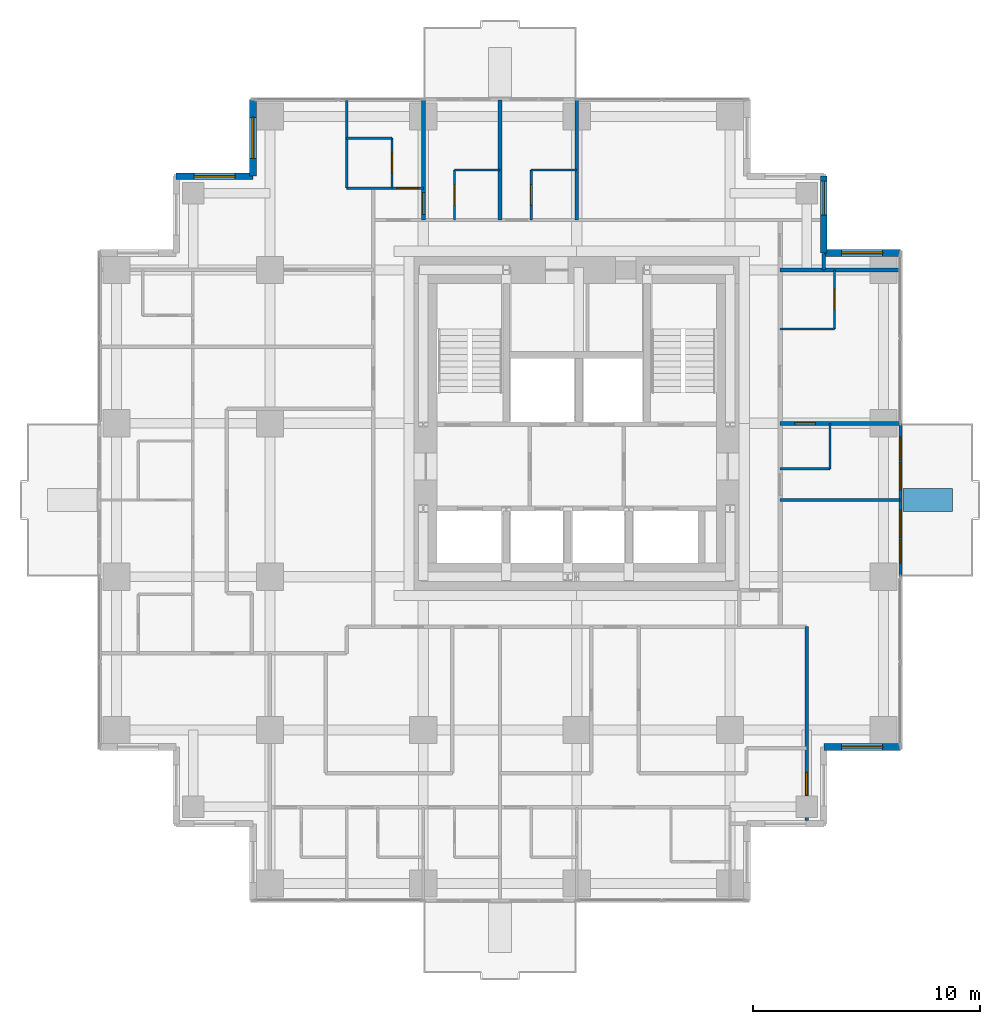
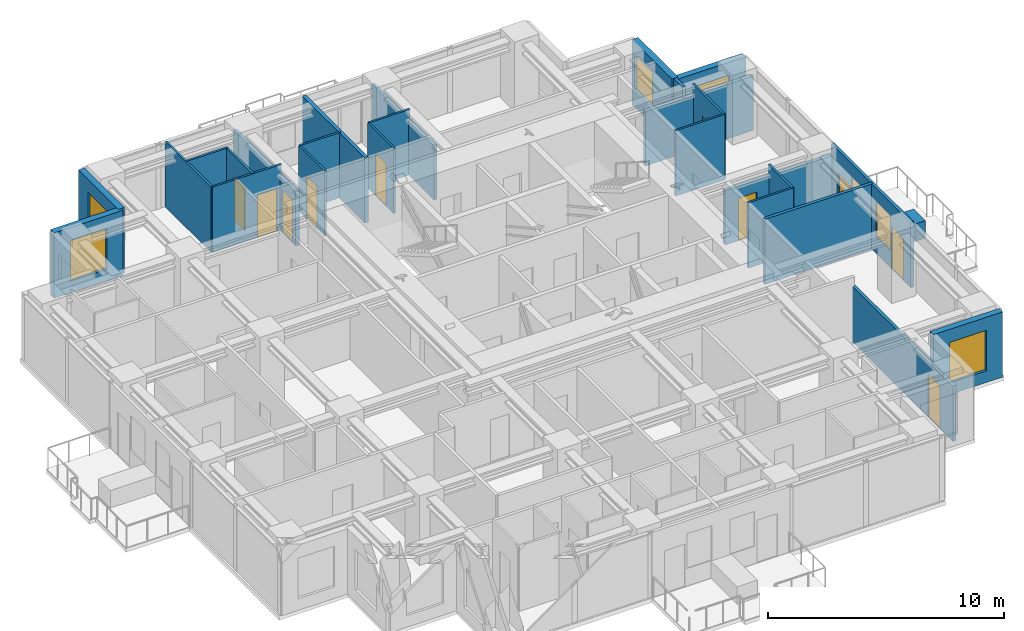
# One storey, part 8 of 10: 27 walls, 10 doors, 7 windows, 17 openings.
"""IFC4 building model written with IfcOpenShell, lengths in metres."""

from ifc_helpers import new_model, si_unit, direction, frame, frame_2d, origin, place, context, subcontext, project, spatial, rectangle, extrude, material, layer, layer_set, type_object, element, fill, save


model = new_model("IFC4")

# Units and contexts
model_context = context("Model", 3, precision=1e-05, world=origin(), true_north=direction((0.0, 1.0)))
body_context = subcontext(model_context, "Body", "Model", "MODEL_VIEW")
ifc_project = project(units=[si_unit("LENGTHUNIT", "METRE"), si_unit("AREAUNIT", "SQUARE_METRE"), si_unit("VOLUMEUNIT", "CUBIC_METRE"), si_unit("PLANEANGLEUNIT", "RADIAN"), si_unit("MASSUNIT", "GRAM", prefix="KILO")], contexts=[model_context])

# Site, building, storey
site_placement = place(None, origin())
site = spatial("IfcSite", under=ifc_project, at=site_placement, CompositionType="ELEMENT")
building_placement = place(site_placement, origin())
building = spatial("IfcBuilding", under=site, at=building_placement, Name="Nyansa Garden Tower", CompositionType="ELEMENT")
storey_placement = place(building_placement, frame((0.0, 0.0, 178.199951171875)))
storey = spatial("IfcBuildingStorey", under=building, at=storey_placement, Name="L48", CompositionType="ELEMENT", Elevation=178.199951171875)

# Wall, opening, door
ifc_material_1 = material(Name="Dense blockwork, plastered both sides, 55 dB", Category="masonry")
ifc_layer_1 = layer(ifc_material_1, 0.175048828125)
ifc_layer_set_1 = layer_set([ifc_layer_1], Name="Acoustic party wall PW175")
wall_type_1 = type_object("IfcWallType", Name="Acoustic party wall PW175", PredefinedType="PARTITIONING", material=ifc_layer_set_1)
wall_1_placement = place(storey_placement, frame((13.5, 29.199951171875, 0.0), z_axis=(0.0, 0.0, 1.0), x_axis=(0.0, 1.0, 0.0)))
wall_1 = element("IfcWall", 1, at=wall_1_placement, inside=storey, type_object=wall_type_1, Name="Party wall", PredefinedType="PARTITIONING", context=body_context, shape_type="SweptSolid", body=[
    extrude(rectangle(XDim=5.283935546875, YDim=0.175048828125, at=frame_2d((2.64208984375, 0.0))), origin(), (0.0, 0.0, 1.0), 2.80615234375),
])
opening_1_placement = place(wall_1_placement, frame((0.25, 0.0, 0.0)))
opening_1 = element("IfcOpeningElement", 2, at=opening_1_placement, cuts=wall_1, Name="Opening D14", PredefinedType="OPENING", context=body_context, shape_type="SweptSolid", body=[
    extrude(rectangle(XDim=0.949951171875, YDim=2.199951171875, at=frame_2d((0.47509765625, 1.10009765625))), frame((0.0, 0.097412109375, 0.0), z_axis=(0.0, -1.0, 0.0), x_axis=(1.0, 0.0, 0.0)), (0.0, 0.0, 1.0), 0.195068359375),
])
ifc_material_2 = material(Name="Timber flush door, 60 minute fire resisting, self-closing", Category="wood")
door_type_1 = type_object("IfcDoorType", Name="Studio entrance door D14 950x2200", OperationType="SINGLE_SWING_LEFT", PredefinedType="DOOR", material=ifc_material_2)
door_1_placement = place(opening_1_placement, origin())
door_1 = element("IfcDoor", 3, at=door_1_placement, inside=storey, type_object=door_type_1, Name="Door L48-042", OperationType="SINGLE_SWING_LEFT", OverallHeight=2.199951171875, OverallWidth=0.949951171875, PredefinedType="DOOR", context=body_context, shape_type="SweptSolid", body=[
    extrude(rectangle(XDim=0.949951171875, YDim=2.199951171875, at=frame_2d((0.47509765625, 1.10009765625))), frame((0.0, 0.02490234375, 0.0), z_axis=(0.0, -1.0, 0.0), x_axis=(1.0, 0.0, 0.0)), (0.0, 0.0, 1.0), 0.050048828125),
])
fill(opening_1, door_1)

# Wall
wall_2_placement = place(storey_placement, frame((16.875, 29.199951171875, 0.0), z_axis=(0.0, 0.0, 1.0), x_axis=(0.0, 1.0, 0.0)))
element("IfcWall", 4, at=wall_2_placement, inside=storey, type_object=wall_type_1, Name="Party wall", PredefinedType="PARTITIONING", context=body_context, shape_type="SweptSolid", body=[
    extrude(rectangle(XDim=5.283935546875, YDim=0.175048828125, at=frame_2d((2.64208984375, 0.0))), origin(), (0.0, 0.0, 1.0), 3.375),
])

# Wall, opening, door
wall_3_placement = place(storey_placement, frame((29.199951171875, 20.25, 0.0), z_axis=(0.0, 0.0, 1.0), x_axis=(1.0, 0.0, 0.0)))
wall_3 = element("IfcWall", 5, at=wall_3_placement, inside=storey, type_object=wall_type_1, Name="Party wall", PredefinedType="PARTITIONING", context=body_context, shape_type="SweptSolid", body=[
    extrude(rectangle(XDim=5.283935546875, YDim=0.175048828125, at=frame_2d((2.64208984375, 0.0))), origin(), (0.0, 0.0, 1.0), 2.80615234375),
])
opening_2_placement = place(wall_3_placement, frame((0.64990234375, 0.0, 0.0)))
opening_2 = element("IfcOpeningElement", 6, at=opening_2_placement, cuts=wall_3, Name="Opening D02", PredefinedType="OPENING", context=body_context, shape_type="SweptSolid", body=[
    extrude(rectangle(XDim=0.89990234375, YDim=2.199951171875, at=frame_2d((0.449951171875, 1.10009765625))), frame((0.0, 0.097412109375, 0.0), z_axis=(0.0, -1.0, 0.0), x_axis=(1.0, 0.0, 0.0)), (0.0, 0.0, 1.0), 0.195068359375),
])
ifc_material_3 = material(Name="Timber flush door", Category="wood")
door_type_2 = type_object("IfcDoorType", Name="En-suite door D02 900x2200", OperationType="SINGLE_SWING_RIGHT", PredefinedType="DOOR", material=ifc_material_3)
door_2_placement = place(opening_2_placement, origin())
door_2 = element("IfcDoor", 7, at=door_2_placement, inside=storey, type_object=door_type_2, Name="Door L48-037", OperationType="SINGLE_SWING_RIGHT", OverallHeight=2.199951171875, OverallWidth=0.89990234375, PredefinedType="DOOR", context=body_context, shape_type="SweptSolid", body=[
    extrude(rectangle(XDim=0.89990234375, YDim=2.199951171875, at=frame_2d((0.449951171875, 1.10009765625))), frame((0.0, 0.02490234375, 0.0), z_axis=(0.0, -1.0, 0.0), x_axis=(1.0, 0.0, 0.0)), (0.0, 0.0, 1.0), 0.050048828125),
])
fill(opening_2, door_2)

# Wall
wall_4_placement = place(storey_placement, frame((29.199951171875, 27.0, 0.0), z_axis=(0.0, 0.0, 1.0), x_axis=(1.0, 0.0, 0.0)))
element("IfcWall", 8, at=wall_4_placement, inside=storey, type_object=wall_type_1, Name="Party wall", PredefinedType="PARTITIONING", context=body_context, shape_type="SweptSolid", body=[
    extrude(rectangle(XDim=5.283935546875, YDim=0.175048828125, at=frame_2d((2.64208984375, 0.0))), origin(), (0.0, 0.0, 1.0), 2.80615234375),
])

# Wall, openings, doors, windows
ifc_material_4 = material(Name="Black aluminium framed glazed screen", Category="aluminium")
ifc_layer_2 = layer(ifc_material_4, 0.14990234375)
ifc_layer_set_2 = layer_set([ifc_layer_2], Name="Balcony screen wall BW150")
wall_type_2 = type_object("IfcWallType", Name="Balcony screen wall BW150", PredefinedType="SOLIDWALL", material=ifc_layer_set_2)
wall_5_placement = place(storey_placement, frame((34.5, 20.25, 0.0), z_axis=(0.0, 0.0, 1.0), x_axis=(0.0, -1.0, 0.0)))
wall_5 = element("IfcWall", 9, at=wall_5_placement, inside=storey, type_object=wall_type_2, Name="Glazed screen wall L48 E", PredefinedType="SOLIDWALL", context=body_context, shape_type="SweptSolid", body=[
    extrude(rectangle(XDim=6.75, YDim=0.14990234375, at=frame_2d((3.375, 0.0))), origin(), (0.0, 0.0, 1.0), 3.375),
])
opening_3_placement = place(wall_5_placement, frame((0.612548828125, 0.0, 0.0)))
opening_3 = element("IfcOpeningElement", 10, at=opening_3_placement, cuts=wall_5, Name="Opening D20", PredefinedType="OPENING", context=body_context, shape_type="SweptSolid", body=[
    extrude(rectangle(XDim=1.0, YDim=2.199951171875, at=frame_2d((0.5, 1.10009765625))), frame((0.0, 0.0849609375, 0.0), z_axis=(0.0, -1.0, 0.0), x_axis=(1.0, 0.0, 0.0)), (0.0, 0.0, 1.0), 0.169921875),
])
opening_4_placement = place(wall_5_placement, frame((1.72509765625, 0.0, 0.89990234375)))
opening_4 = element("IfcOpeningElement", 11, at=opening_4_placement, cuts=wall_5, Name="Opening W6", PredefinedType="OPENING", context=body_context, shape_type="SweptSolid", body=[
    extrude(rectangle(XDim=1.199951171875, YDim=1.800048828125, at=frame_2d((0.60009765625, 0.89990234375))), frame((0.0, 0.0849609375, 0.0), z_axis=(0.0, -1.0, 0.0), x_axis=(1.0, 0.0, 0.0)), (0.0, 0.0, 1.0), 0.169921875),
])
opening_5_placement = place(wall_5_placement, frame((5.137451171875, 0.0, 0.0)))
opening_5 = element("IfcOpeningElement", 12, at=opening_5_placement, cuts=wall_5, Name="Opening D20", PredefinedType="OPENING", context=body_context, shape_type="SweptSolid", body=[
    extrude(rectangle(XDim=1.0, YDim=2.199951171875, at=frame_2d((0.5, 1.10009765625))), frame((0.0, 0.0849609375, 0.0), z_axis=(0.0, -1.0, 0.0), x_axis=(1.0, 0.0, 0.0)), (0.0, 0.0, 1.0), 0.169921875),
])
opening_6_placement = place(wall_5_placement, frame((3.824951171875, 0.0, 0.89990234375)))
opening_6 = element("IfcOpeningElement", 13, at=opening_6_placement, cuts=wall_5, Name="Opening W6", PredefinedType="OPENING", context=body_context, shape_type="SweptSolid", body=[
    extrude(rectangle(XDim=1.199951171875, YDim=1.800048828125, at=frame_2d((0.60009765625, 0.89990234375))), frame((0.0, 0.0849609375, 0.0), z_axis=(0.0, -1.0, 0.0), x_axis=(1.0, 0.0, 0.0)), (0.0, 0.0, 1.0), 0.169921875),
])
ifc_material_5 = material(Name="Black aluminium framed glazed door", Category="aluminium")
door_type_3 = type_object("IfcDoorType", Name="Balcony door D20 1000x2200", OperationType="NOTDEFINED", PredefinedType="DOOR", material=ifc_material_5)
door_3_placement = place(opening_3_placement, origin())
door_3 = element("IfcDoor", 14, at=door_3_placement, inside=storey, type_object=door_type_3, Name="Balcony door L48", OperationType="SINGLE_SWING_LEFT", OverallHeight=2.199951171875, OverallWidth=1.0, PredefinedType="DOOR", context=body_context, shape_type="SweptSolid", body=[
    extrude(rectangle(XDim=1.0, YDim=2.199951171875, at=frame_2d((0.5, 1.10009765625))), frame((0.0, 0.02490234375, 0.0), z_axis=(0.0, -1.0, 0.0), x_axis=(1.0, 0.0, 0.0)), (0.0, 0.0, 1.0), 0.050048828125),
])
fill(opening_3, door_3)
door_4_placement = place(opening_5_placement, origin())
door_4 = element("IfcDoor", 15, at=door_4_placement, inside=storey, type_object=door_type_3, Name="Balcony door L48", OperationType="SINGLE_SWING_RIGHT", OverallHeight=2.199951171875, OverallWidth=1.0, PredefinedType="DOOR", context=body_context, shape_type="SweptSolid", body=[
    extrude(rectangle(XDim=1.0, YDim=2.199951171875, at=frame_2d((0.5, 1.10009765625))), frame((0.0, 0.02490234375, 0.0), z_axis=(0.0, -1.0, 0.0), x_axis=(1.0, 0.0, 0.0)), (0.0, 0.0, 1.0), 0.050048828125),
])
fill(opening_5, door_4)
ifc_material_6 = material(Name="Black aluminium frame, dark tinted double glazing", Category="aluminium")
window_type_1 = type_object("IfcWindowType", Name="Balcony window W6 1200x1800", PartitioningType="SINGLE_PANEL", PredefinedType="WINDOW", material=ifc_material_6)
window_1_placement = place(opening_4_placement, origin())
window_1 = element("IfcWindow", 16, at=window_1_placement, inside=storey, type_object=window_type_1, Name="Window L48", OverallHeight=1.800048828125, OverallWidth=1.199951171875, PartitioningType="SINGLE_PANEL", PredefinedType="WINDOW", context=body_context, shape_type="SweptSolid", body=[
    extrude(rectangle(XDim=1.199951171875, YDim=1.800048828125, at=frame_2d((0.60009765625, 0.89990234375))), frame((0.0, 0.030029296875, 0.0), z_axis=(0.0, -1.0, 0.0), x_axis=(1.0, 0.0, 0.0)), (0.0, 0.0, 1.0), 0.06005859375),
])
fill(opening_4, window_1)
window_2_placement = place(opening_6_placement, origin())
window_2 = element("IfcWindow", 17, at=window_2_placement, inside=storey, type_object=window_type_1, Name="Window L48", OverallHeight=1.800048828125, OverallWidth=1.199951171875, PartitioningType="SINGLE_PANEL", PredefinedType="WINDOW", context=body_context, shape_type="SweptSolid", body=[
    extrude(rectangle(XDim=1.199951171875, YDim=1.800048828125, at=frame_2d((0.60009765625, 0.89990234375))), frame((0.0, 0.030029296875, 0.0), z_axis=(0.0, -1.0, 0.0), x_axis=(1.0, 0.0, 0.0)), (0.0, 0.0, 1.0), 0.06005859375),
])
fill(opening_6, window_2)

# Walls
ifc_material_7 = material(Name="Blockwork, plastered both sides", Category="masonry")
ifc_layer_3 = layer(ifc_material_7, 0.14990234375)
ifc_layer_set_3 = layer_set([ifc_layer_3], Name="Partition PW150")
wall_type_3 = type_object("IfcWallType", Name="Partition PW150", PredefinedType="PARTITIONING", material=ifc_layer_set_3)
wall_6_placement = place(storey_placement, frame((20.25, 29.199951171875, 0.0), z_axis=(0.0, 0.0, 1.0), x_axis=(0.0, 1.0, 0.0)))
element("IfcWall", 18, at=wall_6_placement, inside=storey, type_object=wall_type_3, Name="Partition", PredefinedType="PARTITIONING", context=body_context, shape_type="SweptSolid", body=[
    extrude(rectangle(XDim=5.283935546875, YDim=0.14990234375, at=frame_2d((2.64208984375, 0.0))), origin(), (0.0, 0.0, 1.0), 2.80615234375),
])
wall_7_placement = place(storey_placement, frame((29.199951171875, 16.875, 0.0), z_axis=(0.0, 0.0, 1.0), x_axis=(1.0, 0.0, 0.0)))
element("IfcWall", 19, at=wall_7_placement, inside=storey, type_object=wall_type_3, Name="Partition", PredefinedType="PARTITIONING", context=body_context, shape_type="SweptSolid", body=[
    extrude(rectangle(XDim=5.283935546875, YDim=0.14990234375, at=frame_2d((2.64208984375, 0.0))), origin(), (0.0, 0.0, 1.0), 3.375),
])

# Wall, opening, door
wall_8_placement = place(storey_placement, frame((30.375, 2.77490234375, 0.0), z_axis=(0.0, 0.0, 1.0), x_axis=(0.0, 1.0, 0.0)))
wall_8 = element("IfcWall", 20, at=wall_8_placement, inside=storey, type_object=wall_type_3, Name="Partition", PredefinedType="PARTITIONING", context=body_context, shape_type="SweptSolid", body=[
    extrude(rectangle(XDim=8.525146484375, YDim=0.14990234375, at=frame_2d((4.2626953125, 0.0))), origin(), (0.0, 0.0, 1.0), 2.876953125),
])
opening_7_placement = place(wall_8_placement, frame((1.115966796875, 0.0, 0.0)))
opening_7 = element("IfcOpeningElement", 21, at=opening_7_placement, cuts=wall_8, Name="Opening D03", PredefinedType="OPENING", context=body_context, shape_type="SweptSolid", body=[
    extrude(rectangle(XDim=1.0, YDim=2.199951171875, at=frame_2d((0.5, 1.10009765625))), frame((0.0, 0.0849609375, 0.0), z_axis=(0.0, -1.0, 0.0), x_axis=(1.0, 0.0, 0.0)), (0.0, 0.0, 1.0), 0.169921875),
])
ifc_material_8 = material(Name="Timber flush door, 60 minute fire resisting", Category="wood")
door_type_4 = type_object("IfcDoorType", Name="Cluster entrance door D03 1000x2200", OperationType="SINGLE_SWING_LEFT", PredefinedType="DOOR", material=ifc_material_8)
door_5_placement = place(opening_7_placement, origin())
door_5 = element("IfcDoor", 22, at=door_5_placement, inside=storey, type_object=door_type_4, Name="Door L48-033", OperationType="SINGLE_SWING_LEFT", OverallHeight=2.199951171875, OverallWidth=1.0, PredefinedType="DOOR", context=body_context, shape_type="SweptSolid", body=[
    extrude(rectangle(XDim=1.0, YDim=2.199951171875, at=frame_2d((0.5, 1.10009765625))), frame((0.0, 0.02490234375, 0.0), z_axis=(0.0, -1.0, 0.0), x_axis=(1.0, 0.0, 0.0)), (0.0, 0.0, 1.0), 0.050048828125),
])
fill(opening_7, door_5)

# Wall
wall_9_placement = place(storey_placement, frame((31.125, 27.0, 0.0), z_axis=(0.0, 0.0, 1.0), x_axis=(0.0, 1.0, 0.0)))
element("IfcWall", 23, at=wall_9_placement, inside=storey, type_object=wall_type_3, Name="Partition", PredefinedType="PARTITIONING", context=body_context, shape_type="SweptSolid", body=[
    extrude(rectangle(XDim=0.73388671875, YDim=0.14990234375, at=frame_2d((0.366943359375, 0.0))), origin(), (0.0, 0.0, 1.0), 3.375),
])

# Wall, opening, window
ifc_material_9 = material(Name="Turquoise glazed tile on concrete blockwork", Category="masonry")
ifc_layer_4 = layer(ifc_material_9, 0.300048828125)
ifc_layer_set_4 = layer_set([ifc_layer_4], Name="Tiled corner wall TW300")
wall_type_4 = type_object("IfcWallType", Name="Tiled corner wall TW300", PredefinedType="SOLIDWALL", material=ifc_layer_set_4)
wall_10_placement = place(storey_placement, frame((34.5, 27.75, 0.0), z_axis=(0.0, 0.0, 1.0), x_axis=(-1.0, 0.0, 0.0)))
wall_10 = element("IfcWall", 24, at=wall_10_placement, inside=storey, type_object=wall_type_4, Name="Tiled corner wall L48", PredefinedType="SOLIDWALL", context=body_context, shape_type="SweptSolid", body=[
    extrude(rectangle(XDim=3.375, YDim=0.300048828125, at=frame_2d((1.6875, 0.0))), origin(), (0.0, 0.0, 1.0), 3.375),
])
opening_8_placement = place(wall_10_placement, frame((0.78759765625, 0.0, 0.60009765625)))
opening_8 = element("IfcOpeningElement", 25, at=opening_8_placement, cuts=wall_10, Name="Opening W2", PredefinedType="OPENING", context=body_context, shape_type="SweptSolid", body=[
    extrude(rectangle(XDim=1.800048828125, YDim=2.10009765625, at=frame_2d((0.89990234375, 1.050048828125))), frame((0.0, 0.159912109375, 0.0), z_axis=(0.0, -1.0, 0.0), x_axis=(1.0, 0.0, 0.0)), (0.0, 0.0, 1.0), 0.320068359375),
])
ifc_material_10 = material(Name="Black aluminium frame, dark tinted double glazing", Category="aluminium")
window_type_2 = type_object("IfcWindowType", Name="Window W2 1800x2100", PartitioningType="SINGLE_PANEL", PredefinedType="WINDOW", material=ifc_material_10)
window_3_placement = place(opening_8_placement, origin())
window_3 = element("IfcWindow", 26, at=window_3_placement, inside=storey, type_object=window_type_2, Name="Corner window L48", OverallHeight=2.10009765625, OverallWidth=1.800048828125, PartitioningType="SINGLE_PANEL", PredefinedType="WINDOW", context=body_context, shape_type="SweptSolid", body=[
    extrude(rectangle(XDim=1.800048828125, YDim=2.10009765625, at=frame_2d((0.89990234375, 1.050048828125))), frame((0.0, 0.030029296875, 0.0), z_axis=(0.0, -1.0, 0.0), x_axis=(1.0, 0.0, 0.0)), (0.0, 0.0, 1.0), 0.06005859375),
])
fill(opening_8, window_3)

wall_11_placement = place(storey_placement, frame((31.125, 27.75, 0.0), z_axis=(0.0, 0.0, 1.0), x_axis=(0.0, 1.0, 0.0)))
wall_11 = element("IfcWall", 27, at=wall_11_placement, inside=storey, type_object=wall_type_4, Name="Tiled corner wall L48", PredefinedType="SOLIDWALL", context=body_context, shape_type="SweptSolid", body=[
    extrude(rectangle(XDim=3.375, YDim=0.300048828125, at=frame_2d((1.6875, 0.0))), origin(), (0.0, 0.0, 1.0), 3.375),
])
opening_9_placement = place(wall_11_placement, frame((1.66259765625, 0.0, 0.89990234375)))
opening_9 = element("IfcOpeningElement", 28, at=opening_9_placement, cuts=wall_11, Name="Opening W1", PredefinedType="OPENING", context=body_context, shape_type="SweptSolid", body=[
    extrude(rectangle(XDim=1.5, YDim=1.800048828125, at=frame_2d((0.75, 0.89990234375))), frame((0.0, 0.159912109375, 0.0), z_axis=(0.0, -1.0, 0.0), x_axis=(1.0, 0.0, 0.0)), (0.0, 0.0, 1.0), 0.320068359375),
])
ifc_material_11 = material(Name="Black aluminium frame, dark tinted double glazing", Category="aluminium")
window_type_3 = type_object("IfcWindowType", Name="Window W1 1500x1800", PartitioningType="SINGLE_PANEL", PredefinedType="WINDOW", material=ifc_material_11)
window_4_placement = place(opening_9_placement, origin())
window_4 = element("IfcWindow", 29, at=window_4_placement, inside=storey, type_object=window_type_3, Name="Corner window L48", OverallHeight=1.800048828125, OverallWidth=1.5, PartitioningType="SINGLE_PANEL", PredefinedType="WINDOW", context=body_context, shape_type="SweptSolid", body=[
    extrude(rectangle(XDim=1.5, YDim=1.800048828125, at=frame_2d((0.75, 0.89990234375))), frame((0.0, 0.030029296875, 0.0), z_axis=(0.0, -1.0, 0.0), x_axis=(1.0, 0.0, 0.0)), (0.0, 0.0, 1.0), 0.06005859375),
])
fill(opening_9, window_4)

wall_12_placement = place(storey_placement, frame((6.0, 34.5, 0.0), z_axis=(0.0, 0.0, 1.0), x_axis=(0.0, -1.0, 0.0)))
wall_12 = element("IfcWall", 30, at=wall_12_placement, inside=storey, type_object=wall_type_4, Name="Tiled corner wall L48", PredefinedType="SOLIDWALL", context=body_context, shape_type="SweptSolid", body=[
    extrude(rectangle(XDim=3.375, YDim=0.300048828125, at=frame_2d((1.6875, 0.0))), origin(), (0.0, 0.0, 1.0), 3.375),
])
opening_10_placement = place(wall_12_placement, frame((0.78759765625, 0.0, 0.60009765625)))
opening_10 = element("IfcOpeningElement", 31, at=opening_10_placement, cuts=wall_12, Name="Opening W2", PredefinedType="OPENING", context=body_context, shape_type="SweptSolid", body=[
    extrude(rectangle(XDim=1.800048828125, YDim=2.10009765625, at=frame_2d((0.89990234375, 1.050048828125))), frame((0.0, 0.159912109375, 0.0), z_axis=(0.0, -1.0, 0.0), x_axis=(1.0, 0.0, 0.0)), (0.0, 0.0, 1.0), 0.320068359375),
])
window_5_placement = place(opening_10_placement, origin())
window_5 = element("IfcWindow", 32, at=window_5_placement, inside=storey, type_object=window_type_2, Name="Corner window L48", OverallHeight=2.10009765625, OverallWidth=1.800048828125, PartitioningType="SINGLE_PANEL", PredefinedType="WINDOW", context=body_context, shape_type="SweptSolid", body=[
    extrude(rectangle(XDim=1.800048828125, YDim=2.10009765625, at=frame_2d((0.89990234375, 1.050048828125))), frame((0.0, 0.030029296875, 0.0), z_axis=(0.0, -1.0, 0.0), x_axis=(1.0, 0.0, 0.0)), (0.0, 0.0, 1.0), 0.06005859375),
])
fill(opening_10, window_5)

wall_13_placement = place(storey_placement, frame((6.0, 31.125, 0.0), z_axis=(0.0, 0.0, 1.0), x_axis=(-1.0, 0.0, 0.0)))
wall_13 = element("IfcWall", 33, at=wall_13_placement, inside=storey, type_object=wall_type_4, Name="Tiled corner wall L48", PredefinedType="SOLIDWALL", context=body_context, shape_type="SweptSolid", body=[
    extrude(rectangle(XDim=3.375, YDim=0.300048828125, at=frame_2d((1.6875, 0.0))), origin(), (0.0, 0.0, 1.0), 3.375),
])
opening_11_placement = place(wall_13_placement, frame((0.78759765625, 0.0, 0.60009765625)))
opening_11 = element("IfcOpeningElement", 34, at=opening_11_placement, cuts=wall_13, Name="Opening W2", PredefinedType="OPENING", context=body_context, shape_type="SweptSolid", body=[
    extrude(rectangle(XDim=1.800048828125, YDim=2.10009765625, at=frame_2d((0.89990234375, 1.050048828125))), frame((0.0, 0.159912109375, 0.0), z_axis=(0.0, -1.0, 0.0), x_axis=(1.0, 0.0, 0.0)), (0.0, 0.0, 1.0), 0.320068359375),
])
window_6_placement = place(opening_11_placement, origin())
window_6 = element("IfcWindow", 35, at=window_6_placement, inside=storey, type_object=window_type_2, Name="Corner window L48", OverallHeight=2.10009765625, OverallWidth=1.800048828125, PartitioningType="SINGLE_PANEL", PredefinedType="WINDOW", context=body_context, shape_type="SweptSolid", body=[
    extrude(rectangle(XDim=1.800048828125, YDim=2.10009765625, at=frame_2d((0.89990234375, 1.050048828125))), frame((0.0, 0.030029296875, 0.0), z_axis=(0.0, -1.0, 0.0), x_axis=(1.0, 0.0, 0.0)), (0.0, 0.0, 1.0), 0.06005859375),
])
fill(opening_11, window_6)

wall_14_placement = place(storey_placement, frame((31.125, 6.0, 0.0), z_axis=(0.0, 0.0, 1.0), x_axis=(1.0, 0.0, 0.0)))
wall_14 = element("IfcWall", 36, at=wall_14_placement, inside=storey, type_object=wall_type_4, Name="Tiled corner wall L48", PredefinedType="SOLIDWALL", context=body_context, shape_type="SweptSolid", body=[
    extrude(rectangle(XDim=3.375, YDim=0.300048828125, at=frame_2d((1.6875, 0.0))), origin(), (0.0, 0.0, 1.0), 3.375),
])
opening_12_placement = place(wall_14_placement, frame((0.78759765625, 0.0, 0.60009765625)))
opening_12 = element("IfcOpeningElement", 37, at=opening_12_placement, cuts=wall_14, Name="Opening W2", PredefinedType="OPENING", context=body_context, shape_type="SweptSolid", body=[
    extrude(rectangle(XDim=1.800048828125, YDim=2.10009765625, at=frame_2d((0.89990234375, 1.050048828125))), frame((0.0, 0.159912109375, 0.0), z_axis=(0.0, -1.0, 0.0), x_axis=(1.0, 0.0, 0.0)), (0.0, 0.0, 1.0), 0.320068359375),
])
window_7_placement = place(opening_12_placement, origin())
window_7 = element("IfcWindow", 38, at=window_7_placement, inside=storey, type_object=window_type_2, Name="Corner window L48", OverallHeight=2.10009765625, OverallWidth=1.800048828125, PartitioningType="SINGLE_PANEL", PredefinedType="WINDOW", context=body_context, shape_type="SweptSolid", body=[
    extrude(rectangle(XDim=1.800048828125, YDim=2.10009765625, at=frame_2d((0.89990234375, 1.050048828125))), frame((0.0, 0.030029296875, 0.0), z_axis=(0.0, -1.0, 0.0), x_axis=(1.0, 0.0, 0.0)), (0.0, 0.0, 1.0), 0.06005859375),
])
fill(opening_12, window_7)

# Walls
ifc_material_12 = material(Name="Concrete C40/50 planter, waterproofed", Category="concrete")
ifc_layer_5 = layer(ifc_material_12, 1.0)
ifc_layer_set_5 = layer_set([ifc_layer_5], Name="Tree planter TP1")
wall_type_5 = type_object("IfcWallType", Name="Tree planter TP1", PredefinedType="USERDEFINED", material=ifc_layer_set_5)
wall_15_placement = place(storey_placement, frame((34.60009765625, 16.875, 0.0), z_axis=(0.0, 0.0, 1.0), x_axis=(1.0, 0.0, 0.0)))
element("IfcWall", 39, at=wall_15_placement, inside=storey, type_object=wall_type_5, Name="Tree planter L48", ObjectType="TREE PLANTER", PredefinedType="USERDEFINED", context=body_context, shape_type="SweptSolid", body=[
    extrude(rectangle(XDim=2.199951171875, YDim=1.0, at=frame_2d((1.10009765625, 0.0))), origin(), (0.0, 0.0, 1.0), 0.900146484375),
])
ifc_material_13 = material(Name="Moisture resistant board on steel studs, tiled", Category="steel")
ifc_layer_6 = layer(ifc_material_13, 0.10009765625)
ifc_layer_set_6 = layer_set([ifc_layer_6], Name="Wet wall PW100")
wall_type_6 = type_object("IfcWallType", Name="Wet wall PW100", PredefinedType="PARTITIONING", material=ifc_layer_set_6)
wall_16_placement = place(storey_placement, frame((10.125, 30.60009765625, 0.0), z_axis=(0.0, 0.0, 1.0), x_axis=(0.0, 1.0, 0.0)))
element("IfcWall", 40, at=wall_16_placement, inside=storey, type_object=wall_type_6, Name="Wet wall", PredefinedType="PARTITIONING", context=body_context, shape_type="SweptSolid", body=[
    extrude(rectangle(XDim=3.8837890625, YDim=0.10009765625, at=frame_2d((1.94189453125, 0.0))), origin(), (0.0, 0.0, 1.0), 3.375),
])

# Wall, opening, door
wall_17_placement = place(storey_placement, frame((10.125, 30.60009765625, 0.0), z_axis=(0.0, 0.0, 1.0), x_axis=(1.0, 0.0, 0.0)))
wall_17 = element("IfcWall", 41, at=wall_17_placement, inside=storey, type_object=wall_type_6, Name="Wet wall", PredefinedType="PARTITIONING", context=body_context, shape_type="SweptSolid", body=[
    extrude(rectangle(XDim=3.375, YDim=0.10009765625, at=frame_2d((1.6875, 0.0))), origin(), (0.0, 0.0, 1.0), 3.375),
])
opening_13_placement = place(wall_17_placement, frame((2.199951171875, 0.0, 0.0)))
opening_13 = element("IfcOpeningElement", 42, at=opening_13_placement, cuts=wall_17, Name="Opening D14", PredefinedType="OPENING", context=body_context, shape_type="SweptSolid", body=[
    extrude(rectangle(XDim=0.949951171875, YDim=2.199951171875, at=frame_2d((0.47509765625, 1.10009765625))), frame((0.0, 0.06005859375, 0.0), z_axis=(0.0, -1.0, 0.0), x_axis=(1.0, 0.0, 0.0)), (0.0, 0.0, 1.0), 0.1201171875),
])
door_6_placement = place(opening_13_placement, origin())
door_6 = element("IfcDoor", 43, at=door_6_placement, inside=storey, type_object=door_type_1, Name="Door L48-040", OperationType="SINGLE_SWING_LEFT", OverallHeight=2.199951171875, OverallWidth=0.949951171875, PredefinedType="DOOR", context=body_context, shape_type="SweptSolid", body=[
    extrude(rectangle(XDim=0.949951171875, YDim=2.199951171875, at=frame_2d((0.47509765625, 1.10009765625))), frame((0.0, 0.02490234375, 0.0), z_axis=(0.0, -1.0, 0.0), x_axis=(1.0, 0.0, 0.0)), (0.0, 0.0, 1.0), 0.050048828125),
])
fill(opening_13, door_6)

# Wall
wall_18_placement = place(storey_placement, frame((10.125, 32.800048828125, 0.0), z_axis=(0.0, 0.0, 1.0), x_axis=(1.0, 0.0, 0.0)))
element("IfcWall", 44, at=wall_18_placement, inside=storey, type_object=wall_type_6, Name="Wet wall", PredefinedType="PARTITIONING", context=body_context, shape_type="SweptSolid", body=[
    extrude(rectangle(XDim=2.0, YDim=0.10009765625, at=frame_2d((1.0, 0.0))), origin(), (0.0, 0.0, 1.0), 3.375),
])

# Wall, opening, door
wall_19_placement = place(storey_placement, frame((12.125, 30.60009765625, 0.0), z_axis=(0.0, 0.0, 1.0), x_axis=(0.0, 1.0, 0.0)))
wall_19 = element("IfcWall", 45, at=wall_19_placement, inside=storey, type_object=wall_type_6, Name="Wet wall", PredefinedType="PARTITIONING", context=body_context, shape_type="SweptSolid", body=[
    extrude(rectangle(XDim=2.199951171875, YDim=0.10009765625, at=frame_2d((1.10009765625, 0.0))), origin(), (0.0, 0.0, 1.0), 3.375),
])
opening_14_placement = place(wall_19_placement, frame((0.64990234375, 0.0, 0.0)))
opening_14 = element("IfcOpeningElement", 46, at=opening_14_placement, cuts=wall_19, Name="Opening D02", PredefinedType="OPENING", context=body_context, shape_type="SweptSolid", body=[
    extrude(rectangle(XDim=0.89990234375, YDim=2.199951171875, at=frame_2d((0.449951171875, 1.10009765625))), frame((0.0, 0.06005859375, 0.0), z_axis=(0.0, -1.0, 0.0), x_axis=(1.0, 0.0, 0.0)), (0.0, 0.0, 1.0), 0.1201171875),
])
door_7_placement = place(opening_14_placement, origin())
door_7 = element("IfcDoor", 47, at=door_7_placement, inside=storey, type_object=door_type_2, Name="Door L48-041", OperationType="SINGLE_SWING_RIGHT", OverallHeight=2.199951171875, OverallWidth=0.89990234375, PredefinedType="DOOR", context=body_context, shape_type="SweptSolid", body=[
    extrude(rectangle(XDim=0.89990234375, YDim=2.199951171875, at=frame_2d((0.449951171875, 1.10009765625))), frame((0.0, 0.02490234375, 0.0), z_axis=(0.0, -1.0, 0.0), x_axis=(1.0, 0.0, 0.0)), (0.0, 0.0, 1.0), 0.050048828125),
])
fill(opening_14, door_7)

wall_20_placement = place(storey_placement, frame((14.875, 29.199951171875, 0.0), z_axis=(0.0, 0.0, 1.0), x_axis=(0.0, 1.0, 0.0)))
wall_20 = element("IfcWall", 48, at=wall_20_placement, inside=storey, type_object=wall_type_6, Name="Wet wall", PredefinedType="PARTITIONING", context=body_context, shape_type="SweptSolid", body=[
    extrude(rectangle(XDim=2.199951171875, YDim=0.10009765625, at=frame_2d((1.10009765625, 0.0))), origin(), (0.0, 0.0, 1.0), 3.375),
])
opening_15_placement = place(wall_20_placement, frame((0.64990234375, 0.0, 0.0)))
opening_15 = element("IfcOpeningElement", 49, at=opening_15_placement, cuts=wall_20, Name="Opening D02", PredefinedType="OPENING", context=body_context, shape_type="SweptSolid", body=[
    extrude(rectangle(XDim=0.89990234375, YDim=2.199951171875, at=frame_2d((0.449951171875, 1.10009765625))), frame((0.0, 0.06005859375, 0.0), z_axis=(0.0, -1.0, 0.0), x_axis=(1.0, 0.0, 0.0)), (0.0, 0.0, 1.0), 0.1201171875),
])
door_8_placement = place(opening_15_placement, origin())
door_8 = element("IfcDoor", 50, at=door_8_placement, inside=storey, type_object=door_type_2, Name="Door L48-043", OperationType="SINGLE_SWING_RIGHT", OverallHeight=2.199951171875, OverallWidth=0.89990234375, PredefinedType="DOOR", context=body_context, shape_type="SweptSolid", body=[
    extrude(rectangle(XDim=0.89990234375, YDim=2.199951171875, at=frame_2d((0.449951171875, 1.10009765625))), frame((0.0, 0.02490234375, 0.0), z_axis=(0.0, -1.0, 0.0), x_axis=(1.0, 0.0, 0.0)), (0.0, 0.0, 1.0), 0.050048828125),
])
fill(opening_15, door_8)

# Wall
wall_21_placement = place(storey_placement, frame((14.875, 31.39990234375, 0.0), z_axis=(0.0, 0.0, 1.0), x_axis=(1.0, 0.0, 0.0)))
element("IfcWall", 51, at=wall_21_placement, inside=storey, type_object=wall_type_6, Name="Wet wall", PredefinedType="PARTITIONING", context=body_context, shape_type="SweptSolid", body=[
    extrude(rectangle(XDim=2.0, YDim=0.10009765625, at=frame_2d((1.0, 0.0))), origin(), (0.0, 0.0, 1.0), 3.375),
])

# Wall, opening, door
wall_22_placement = place(storey_placement, frame((18.25, 29.199951171875, 0.0), z_axis=(0.0, 0.0, 1.0), x_axis=(0.0, 1.0, 0.0)))
wall_22 = element("IfcWall", 52, at=wall_22_placement, inside=storey, type_object=wall_type_6, Name="Wet wall", PredefinedType="PARTITIONING", context=body_context, shape_type="SweptSolid", body=[
    extrude(rectangle(XDim=2.199951171875, YDim=0.10009765625, at=frame_2d((1.10009765625, 0.0))), origin(), (0.0, 0.0, 1.0), 3.375),
])
opening_16_placement = place(wall_22_placement, frame((0.64990234375, 0.0, 0.0)))
opening_16 = element("IfcOpeningElement", 53, at=opening_16_placement, cuts=wall_22, Name="Opening D02", PredefinedType="OPENING", context=body_context, shape_type="SweptSolid", body=[
    extrude(rectangle(XDim=0.89990234375, YDim=2.199951171875, at=frame_2d((0.449951171875, 1.10009765625))), frame((0.0, 0.06005859375, 0.0), z_axis=(0.0, -1.0, 0.0), x_axis=(1.0, 0.0, 0.0)), (0.0, 0.0, 1.0), 0.1201171875),
])
door_9_placement = place(opening_16_placement, origin())
door_9 = element("IfcDoor", 54, at=door_9_placement, inside=storey, type_object=door_type_2, Name="Door L48-045", OperationType="SINGLE_SWING_RIGHT", OverallHeight=2.199951171875, OverallWidth=0.89990234375, PredefinedType="DOOR", context=body_context, shape_type="SweptSolid", body=[
    extrude(rectangle(XDim=0.89990234375, YDim=2.199951171875, at=frame_2d((0.449951171875, 1.10009765625))), frame((0.0, 0.02490234375, 0.0), z_axis=(0.0, -1.0, 0.0), x_axis=(1.0, 0.0, 0.0)), (0.0, 0.0, 1.0), 0.050048828125),
])
fill(opening_16, door_9)

# Walls
wall_23_placement = place(storey_placement, frame((18.25, 31.39990234375, 0.0), z_axis=(0.0, 0.0, 1.0), x_axis=(1.0, 0.0, 0.0)))
element("IfcWall", 55, at=wall_23_placement, inside=storey, type_object=wall_type_6, Name="Wet wall", PredefinedType="PARTITIONING", context=body_context, shape_type="SweptSolid", body=[
    extrude(rectangle(XDim=2.0, YDim=0.10009765625, at=frame_2d((1.0, 0.0))), origin(), (0.0, 0.0, 1.0), 3.375),
])
wall_24_placement = place(storey_placement, frame((29.199951171875, 18.25, 0.0), z_axis=(0.0, 0.0, 1.0), x_axis=(1.0, 0.0, 0.0)))
element("IfcWall", 56, at=wall_24_placement, inside=storey, type_object=wall_type_6, Name="Wet wall", PredefinedType="PARTITIONING", context=body_context, shape_type="SweptSolid", body=[
    extrude(rectangle(XDim=2.199951171875, YDim=0.10009765625, at=frame_2d((1.10009765625, 0.0))), origin(), (0.0, 0.0, 1.0), 3.375),
])
wall_25_placement = place(storey_placement, frame((29.199951171875, 24.39990234375, 0.0), z_axis=(0.0, 0.0, 1.0), x_axis=(1.0, 0.0, 0.0)))
element("IfcWall", 57, at=wall_25_placement, inside=storey, type_object=wall_type_6, Name="Wet wall", PredefinedType="PARTITIONING", context=body_context, shape_type="SweptSolid", body=[
    extrude(rectangle(XDim=2.400146484375, YDim=0.10009765625, at=frame_2d((1.2001953125, 0.0))), origin(), (0.0, 0.0, 1.0), 3.375),
])
wall_26_placement = place(storey_placement, frame((31.39990234375, 18.25, 0.0), z_axis=(0.0, 0.0, 1.0), x_axis=(0.0, 1.0, 0.0)))
element("IfcWall", 58, at=wall_26_placement, inside=storey, type_object=wall_type_6, Name="Wet wall", PredefinedType="PARTITIONING", context=body_context, shape_type="SweptSolid", body=[
    extrude(rectangle(XDim=2.0, YDim=0.10009765625, at=frame_2d((1.0, 0.0))), origin(), (0.0, 0.0, 1.0), 3.375),
])

# Wall, opening, door
wall_27_placement = place(storey_placement, frame((31.60009765625, 24.39990234375, 0.0), z_axis=(0.0, 0.0, 1.0), x_axis=(0.0, 1.0, 0.0)))
wall_27 = element("IfcWall", 59, at=wall_27_placement, inside=storey, type_object=wall_type_6, Name="Wet wall", PredefinedType="PARTITIONING", context=body_context, shape_type="SweptSolid", body=[
    extrude(rectangle(XDim=2.60009765625, YDim=0.10009765625, at=frame_2d((1.300048828125, 0.0))), origin(), (0.0, 0.0, 1.0), 3.375),
])
opening_17_placement = place(wall_27_placement, frame((0.85009765625, 0.0, 0.0)))
opening_17 = element("IfcOpeningElement", 60, at=opening_17_placement, cuts=wall_27, Name="Opening D02", PredefinedType="OPENING", context=body_context, shape_type="SweptSolid", body=[
    extrude(rectangle(XDim=0.89990234375, YDim=2.199951171875, at=frame_2d((0.449951171875, 1.10009765625))), frame((0.0, 0.06005859375, 0.0), z_axis=(0.0, -1.0, 0.0), x_axis=(1.0, 0.0, 0.0)), (0.0, 0.0, 1.0), 0.1201171875),
])
door_10_placement = place(opening_17_placement, origin())
door_10 = element("IfcDoor", 61, at=door_10_placement, inside=storey, type_object=door_type_2, Name="Door L48-035", OperationType="SINGLE_SWING_RIGHT", OverallHeight=2.199951171875, OverallWidth=0.89990234375, PredefinedType="DOOR", context=body_context, shape_type="SweptSolid", body=[
    extrude(rectangle(XDim=0.89990234375, YDim=2.199951171875, at=frame_2d((0.449951171875, 1.10009765625))), frame((0.0, 0.02490234375, 0.0), z_axis=(0.0, -1.0, 0.0), x_axis=(1.0, 0.0, 0.0)), (0.0, 0.0, 1.0), 0.050048828125),
])
fill(opening_17, door_10)

save(model, "model.ifc")
